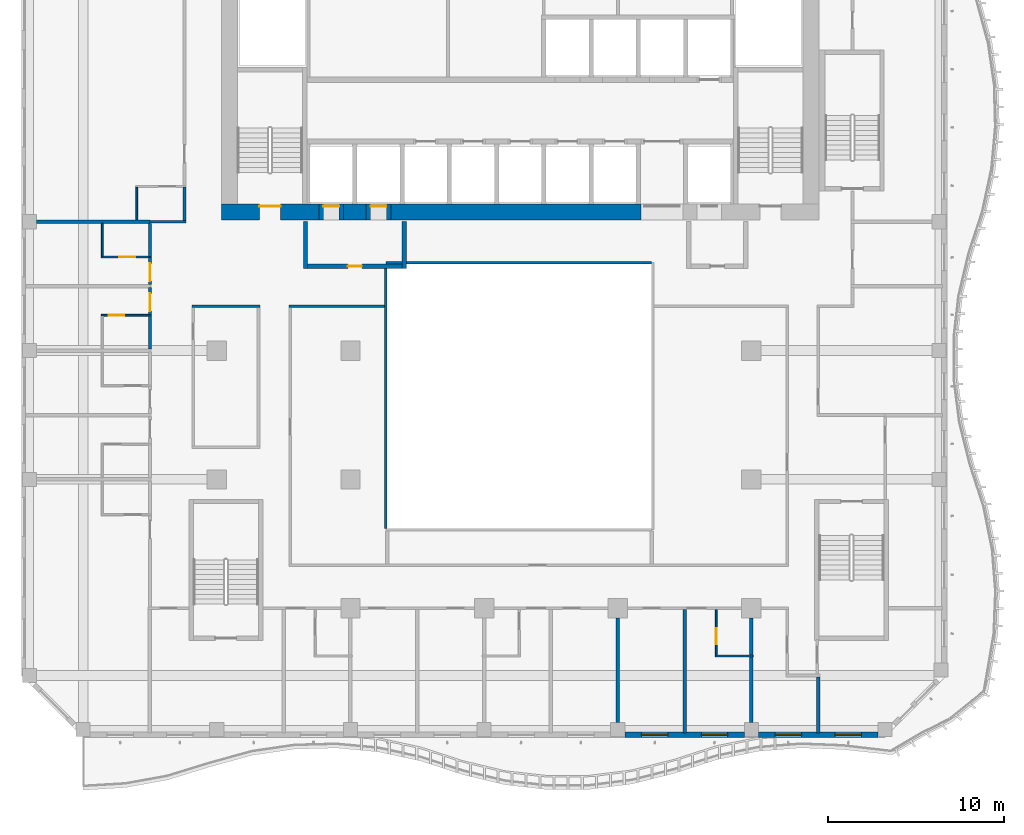
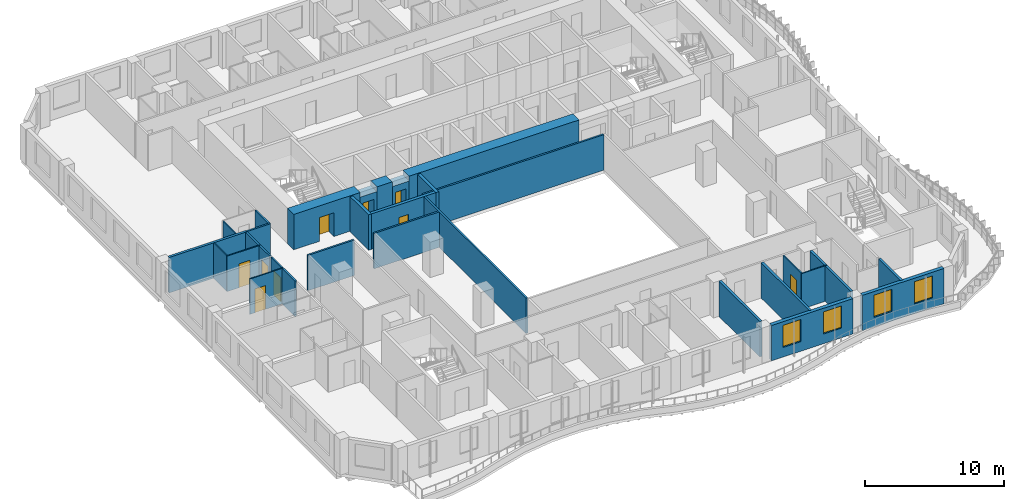
# One storey, part 4 of 21: 32 walls, 9 doors, 4 windows, 13 openings.
"""IFC4 building model written with IfcOpenShell, lengths in metres."""

from ifc_helpers import new_model, si_unit, direction, frame, frame_2d, origin, place, context, subcontext, project, spatial, rectangle, extrude, source, transform, mapped, material, layer, layer_set, type_object, element, fill, save


model = new_model("IFC4")

# Units and contexts
model_context = context("Model", 3, precision=1e-05, world=origin(), true_north=direction((0.0, 1.0)))
body_context = subcontext(model_context, "Body", "Model", "MODEL_VIEW")
ifc_project = project(units=[si_unit("LENGTHUNIT", "METRE"), si_unit("AREAUNIT", "SQUARE_METRE"), si_unit("VOLUMEUNIT", "CUBIC_METRE"), si_unit("PLANEANGLEUNIT", "RADIAN"), si_unit("MASSUNIT", "GRAM", prefix="KILO")], contexts=[model_context])

# Site, building, storey
site_placement = place(None, origin())
site = spatial("IfcSite", under=ifc_project, at=site_placement, CompositionType="ELEMENT")
building_placement = place(site_placement, origin())
building = spatial("IfcBuilding", under=site, at=building_placement, Name="Kilnfold Tower and Market Hall", CompositionType="ELEMENT")
storey_placement = place(building_placement, frame((0.0, 0.0, 147.300048828125)))
storey = spatial("IfcBuildingStorey", under=building, at=storey_placement, Name="L33", CompositionType="ELEMENT", Elevation=147.300048828125)

# Walls
ifc_material_1 = material(Name="Fire-resisting glazed screen")
ifc_layer_1 = layer(ifc_material_1, 0.14990234375)
ifc_layer_set_1 = layer_set([ifc_layer_1], Name="Fire-resisting glazed screen")
wall_type_1 = type_object("IfcWallType", Name="WALL ATRIUM 150", PredefinedType="PARTITIONING", material=ifc_layer_set_1)
wall_1_placement = place(storey_placement, frame((-6.574951171875, -9.39990234375, 0.0), z_axis=(0.0, 0.0, 1.0), x_axis=(0.0, 1.0, 0.0)))
element("IfcWall", 1, at=wall_1_placement, inside=storey, type_object=wall_type_1, Name="Partition LY21.129", PredefinedType="PARTITIONING", context=body_context, shape_type="SweptSolid", body=[
    extrude(rectangle(XDim=15.0, YDim=0.14990234375, at=frame_2d((7.5, 0.0))), origin(), (0.0, 0.0, 1.0), 3.119873046875),
])
wall_2_placement = place(storey_placement, frame((-6.574951171875, 5.675048828125, 0.0), z_axis=(0.0, 0.0, 1.0), x_axis=(1.0, 0.0, 0.0)))
element("IfcWall", 2, at=wall_2_placement, inside=storey, type_object=wall_type_1, Name="Partition LY21.130", PredefinedType="PARTITIONING", context=body_context, shape_type="SweptSolid", body=[
    extrude(rectangle(XDim=15.074951171875, YDim=0.14990234375, at=frame_2d((7.53759765625, 0.0))), origin(), (0.0, 0.0, 1.0), 3.119873046875),
])

# Wall, opening, door
ifc_material_2 = material(Name="Gypsum board on steel studs", Category="steel")
ifc_layer_2 = layer(ifc_material_2, 0.14990234375)
ifc_layer_set_2 = layer_set([ifc_layer_2], Name="Gypsum board on steel studs")
wall_type_2 = type_object("IfcWallType", Name="WALL CORRIDOR 150", PredefinedType="PARTITIONING", material=ifc_layer_set_2)
wall_3_placement = place(storey_placement, frame((-19.958984375, 2.72802734375, 0.0), z_axis=(0.0, 0.0, 1.0), x_axis=(0.0, 1.0, 0.0)))
wall_3 = element("IfcWall", 3, at=wall_3_placement, inside=storey, type_object=wall_type_2, Name="Partition LY21.16", PredefinedType="PARTITIONING", context=body_context, shape_type="SweptSolid", body=[
    extrude(rectangle(XDim=1.52587890625, YDim=0.14990234375, at=frame_2d((0.762939453125, 0.0))), origin(), (0.0, 0.0, 1.0), 3.119873046875),
])
opening_1_placement = place(wall_3_placement, frame((0.199951171875, 0.0, 0.0)))
opening_1 = element("IfcOpeningElement", 4, at=opening_1_placement, cuts=wall_3, Name="Opening D1", PredefinedType="OPENING", context=body_context, shape_type="SweptSolid", body=[
    extrude(rectangle(XDim=1.0, YDim=2.10009765625, at=frame_2d((0.5, 1.050048828125))), frame((0.0, 0.0849609375, 0.0), z_axis=(0.0, -1.0, 0.0), x_axis=(1.0, 0.0, 0.0)), (0.0, 0.0, 1.0), 0.169921875),
])
ifc_material_3 = material(Name="Timber veneer door leaf in steel frame", Category="steel")
door_type_1 = type_object("IfcDoorType", Name="DOOR ENTRY 1000 X2100", OperationType="NOTDEFINED", PredefinedType="DOOR", material=ifc_material_3)
door_1_placement = place(opening_1_placement, origin())
door_1 = element("IfcDoor", 5, at=door_1_placement, inside=storey, type_object=door_type_1, Name="Door D1", OperationType="SINGLE_SWING_RIGHT", OverallHeight=2.10009765625, OverallWidth=1.0, PredefinedType="DOOR", context=body_context, shape_type="SweptSolid", body=[
    extrude(rectangle(XDim=1.0, YDim=2.10009765625, at=frame_2d((0.5, 1.050048828125))), frame((0.0, 0.02490234375, 0.0), z_axis=(0.0, -1.0, 0.0), x_axis=(1.0, 0.0, 0.0)), (0.0, 0.0, 1.0), 0.050048828125),
])
fill(opening_1, door_1)

# Wall
wall_4_placement = place(storey_placement, frame((-19.958984375, 0.778076171875, 0.0), z_axis=(0.0, 0.0, 1.0), x_axis=(0.0, 1.0, 0.0)))
element("IfcWall", 6, at=wall_4_placement, inside=storey, type_object=wall_type_2, Name="Partition LY21.17", PredefinedType="PARTITIONING", context=body_context, shape_type="SweptSolid", body=[
    extrude(rectangle(XDim=1.869873046875, YDim=0.14990234375, at=frame_2d((0.93505859375, 0.0))), origin(), (0.0, 0.0, 1.0), 3.119873046875),
])

# Wall, opening, door
wall_5_placement = place(storey_placement, frame((-19.958984375, 4.43408203125, 0.0), z_axis=(0.0, 0.0, 1.0), x_axis=(0.0, 1.0, 0.0)))
wall_5 = element("IfcWall", 7, at=wall_5_placement, inside=storey, type_object=wall_type_2, Name="Partition LY21.18", PredefinedType="PARTITIONING", context=body_context, shape_type="SweptSolid", body=[
    extrude(rectangle(XDim=1.52587890625, YDim=0.14990234375, at=frame_2d((0.762939453125, 0.0))), origin(), (0.0, 0.0, 1.0), 3.119873046875),
])
opening_2_placement = place(wall_5_placement, frame((0.199951171875, 0.0, 0.0)))
opening_2 = element("IfcOpeningElement", 8, at=opening_2_placement, cuts=wall_5, Name="Opening D1", PredefinedType="OPENING", context=body_context, shape_type="SweptSolid", body=[
    extrude(rectangle(XDim=1.0, YDim=2.10009765625, at=frame_2d((0.5, 1.050048828125))), frame((0.0, 0.0849609375, 0.0), z_axis=(0.0, -1.0, 0.0), x_axis=(1.0, 0.0, 0.0)), (0.0, 0.0, 1.0), 0.169921875),
])
door_2_placement = place(opening_2_placement, origin())
door_2 = element("IfcDoor", 9, at=door_2_placement, inside=storey, type_object=door_type_1, Name="Door D1", OperationType="SINGLE_SWING_RIGHT", OverallHeight=2.10009765625, OverallWidth=1.0, PredefinedType="DOOR", context=body_context, shape_type="SweptSolid", body=[
    extrude(rectangle(XDim=1.0, YDim=2.10009765625, at=frame_2d((0.5, 1.050048828125))), frame((0.0, 0.02490234375, 0.0), z_axis=(0.0, -1.0, 0.0), x_axis=(1.0, 0.0, 0.0)), (0.0, 0.0, 1.0), 0.050048828125),
])
fill(opening_2, door_2)

# Walls
wall_6_placement = place(storey_placement, frame((-19.958984375, 6.0400390625, 0.0), z_axis=(0.0, 0.0, 1.0), x_axis=(0.0, 1.0, 0.0)))
element("IfcWall", 10, at=wall_6_placement, inside=storey, type_object=wall_type_2, Name="Partition LY21.19", PredefinedType="PARTITIONING", context=body_context, shape_type="SweptSolid", body=[
    extrude(rectangle(XDim=1.85986328125, YDim=0.14990234375, at=frame_2d((0.929931640625, 0.0))), origin(), (0.0, 0.0, 1.0), 3.119873046875),
])
wall_7_placement = place(storey_placement, frame((-17.925048828125, 8.0, 0.0), z_axis=(0.0, 0.0, 1.0), x_axis=(-1.0, 0.0, 0.0)))
element("IfcWall", 11, at=wall_7_placement, inside=storey, type_object=wall_type_2, Name="Partition LY21.23", PredefinedType="PARTITIONING", context=body_context, shape_type="SweptSolid", body=[
    extrude(rectangle(XDim=2.033935546875, YDim=0.14990234375, at=frame_2d((1.01708984375, 0.0))), origin(), (0.0, 0.0, 1.0), 3.119873046875),
])
wall_8_placement = place(storey_placement, frame((-18.0, 8.074951171875, 0.0), z_axis=(0.0, 0.0, 1.0), x_axis=(0.0, 1.0, 0.0)))
element("IfcWall", 12, at=wall_8_placement, inside=storey, type_object=wall_type_2, Name="Partition LY21.24", PredefinedType="PARTITIONING", context=body_context, shape_type="SweptSolid", body=[
    extrude(rectangle(XDim=1.885009765625, YDim=0.14990234375, at=frame_2d((0.9423828125, 0.0))), origin(), (0.0, 0.0, 1.0), 3.119873046875),
])
wall_9_placement = place(storey_placement, frame((-12.074951171875, 3.199951171875, 0.0), z_axis=(0.0, 0.0, 1.0), x_axis=(1.0, 0.0, 0.0)))
element("IfcWall", 13, at=wall_9_placement, inside=storey, type_object=wall_type_2, Name="Partition LY21.36", PredefinedType="PARTITIONING", context=body_context, shape_type="SweptSolid", body=[
    extrude(rectangle(XDim=5.425048828125, YDim=0.14990234375, at=frame_2d((2.71240234375, 0.0))), origin(), (0.0, 0.0, 1.0), 3.119873046875),
])
wall_10_placement = place(storey_placement, frame((-17.574951171875, 3.199951171875, 0.0), z_axis=(0.0, 0.0, 1.0), x_axis=(1.0, 0.0, 0.0)))
element("IfcWall", 14, at=wall_10_placement, inside=storey, type_object=wall_type_2, Name="Partition LY21.39", PredefinedType="PARTITIONING", context=body_context, shape_type="SweptSolid", body=[
    extrude(rectangle(XDim=3.849853515625, YDim=0.14990234375, at=frame_2d((1.9248046875, 0.0))), origin(), (0.0, 0.0, 1.0), 3.119873046875),
])

# Wall, opening, door
ifc_material_4 = material(Name="Gypsum board on steel studs", Category="steel")
ifc_layer_3 = layer(ifc_material_4, 0.10009765625)
ifc_layer_set_3 = layer_set([ifc_layer_3], Name="Gypsum board on steel studs")
wall_type_3 = type_object("IfcWallType", Name="WALL PARTITION 100", PredefinedType="PARTITIONING", material=ifc_layer_set_3)
wall_11_placement = place(storey_placement, frame((12.1669921875, -16.590087890625, 0.0), z_axis=(0.0, 0.0, 1.0), x_axis=(0.0, 1.0, 0.0)))
wall_11 = element("IfcWall", 15, at=wall_11_placement, inside=storey, type_object=wall_type_3, Name="Partition LY21.59", PredefinedType="PARTITIONING", context=body_context, shape_type="SweptSolid", body=[
    extrude(rectangle(XDim=2.5751953125, YDim=0.10009765625, at=frame_2d((1.28759765625, 0.0))), origin(), (0.0, 0.0, 1.0), 3.119873046875),
])
opening_3_placement = place(wall_11_placement, frame((0.625, 0.0, 0.0)))
opening_3 = element("IfcOpeningElement", 16, at=opening_3_placement, cuts=wall_11, Name="Opening D3", PredefinedType="OPENING", context=body_context, shape_type="SweptSolid", body=[
    extrude(rectangle(XDim=0.89990234375, YDim=2.10009765625, at=frame_2d((0.449951171875, 1.050048828125))), frame((0.0, 0.06005859375, 0.0), z_axis=(0.0, -1.0, 0.0), x_axis=(1.0, 0.0, 0.0)), (0.0, 0.0, 1.0), 0.1201171875),
])
ifc_material_5 = material(Name="Timber veneer door leaf in steel frame", Category="steel")
door_type_2 = type_object("IfcDoorType", Name="DOOR WC 900 X2100", OperationType="NOTDEFINED", PredefinedType="DOOR", material=ifc_material_5)
door_3_placement = place(opening_3_placement, origin())
door_3 = element("IfcDoor", 17, at=door_3_placement, inside=storey, type_object=door_type_2, Name="Door D3", OperationType="SINGLE_SWING_LEFT", OverallHeight=2.10009765625, OverallWidth=0.89990234375, PredefinedType="DOOR", context=body_context, shape_type="SweptSolid", body=[
    extrude(rectangle(XDim=0.89990234375, YDim=2.10009765625, at=frame_2d((0.449951171875, 1.050048828125))), frame((0.0, 0.02490234375, 0.0), z_axis=(0.0, -1.0, 0.0), x_axis=(1.0, 0.0, 0.0)), (0.0, 0.0, 1.0), 0.050048828125),
])
fill(opening_3, door_3)

# Wall
wall_12_placement = place(storey_placement, frame((12.116943359375, -16.639892578125, 0.0), z_axis=(0.0, 0.0, 1.0), x_axis=(1.0, 0.0, 0.0)))
element("IfcWall", 18, at=wall_12_placement, inside=storey, type_object=wall_type_3, Name="Partition LY21.60", PredefinedType="PARTITIONING", context=body_context, shape_type="SweptSolid", body=[
    extrude(rectangle(XDim=2.150146484375, YDim=0.10009765625, at=frame_2d((1.0751953125, 0.0))), origin(), (0.0, 0.0, 1.0), 3.119873046875),
])

# Wall, opening, door
wall_13_placement = place(storey_placement, frame((-22.7109375, 2.68798828125, 0.0), z_axis=(0.0, 0.0, 1.0), x_axis=(1.0, 0.0, 0.0)))
wall_13 = element("IfcWall", 19, at=wall_13_placement, inside=storey, type_object=wall_type_3, Name="Partition LY21.74", PredefinedType="PARTITIONING", context=body_context, shape_type="SweptSolid", body=[
    extrude(rectangle(XDim=2.824951171875, YDim=0.10009765625, at=frame_2d((1.41259765625, 0.0))), origin(), (0.0, 0.0, 1.0), 3.119873046875),
])
opening_4_placement = place(wall_13_placement, frame((0.403076171875, 0.0, 0.0)))
opening_4 = element("IfcOpeningElement", 20, at=opening_4_placement, cuts=wall_13, Name="Opening D3", PredefinedType="OPENING", context=body_context, shape_type="SweptSolid", body=[
    extrude(rectangle(XDim=0.89990234375, YDim=2.10009765625, at=frame_2d((0.449951171875, 1.050048828125))), frame((0.0, 0.06005859375, 0.0), z_axis=(0.0, -1.0, 0.0), x_axis=(1.0, 0.0, 0.0)), (0.0, 0.0, 1.0), 0.1201171875),
])
door_4_placement = place(opening_4_placement, origin())
door_4 = element("IfcDoor", 21, at=door_4_placement, inside=storey, type_object=door_type_2, Name="Door D3", OperationType="SINGLE_SWING_LEFT", OverallHeight=2.10009765625, OverallWidth=0.89990234375, PredefinedType="DOOR", context=body_context, shape_type="SweptSolid", body=[
    extrude(rectangle(XDim=0.89990234375, YDim=2.10009765625, at=frame_2d((0.449951171875, 1.050048828125))), frame((0.0, 0.02490234375, 0.0), z_axis=(0.0, -1.0, 0.0), x_axis=(1.0, 0.0, 0.0)), (0.0, 0.0, 1.0), 0.050048828125),
])
fill(opening_4, door_4)

wall_14_placement = place(storey_placement, frame((-19.885986328125, 6.0, 0.0), z_axis=(0.0, 0.0, 1.0), x_axis=(-1.0, 0.0, 0.0)))
wall_14 = element("IfcWall", 22, at=wall_14_placement, inside=storey, type_object=wall_type_3, Name="Partition LY21.77", PredefinedType="PARTITIONING", context=body_context, shape_type="SweptSolid", body=[
    extrude(rectangle(XDim=2.824951171875, YDim=0.10009765625, at=frame_2d((1.41259765625, 0.0))), origin(), (0.0, 0.0, 1.0), 3.119873046875),
])
opening_5_placement = place(wall_14_placement, frame((0.912109375, 0.0, 0.0)))
opening_5 = element("IfcOpeningElement", 23, at=opening_5_placement, cuts=wall_14, Name="Opening D3", PredefinedType="OPENING", context=body_context, shape_type="SweptSolid", body=[
    extrude(rectangle(XDim=0.89990234375, YDim=2.10009765625, at=frame_2d((0.449951171875, 1.050048828125))), frame((0.0, 0.06005859375, 0.0), z_axis=(0.0, -1.0, 0.0), x_axis=(1.0, 0.0, 0.0)), (0.0, 0.0, 1.0), 0.1201171875),
])
door_5_placement = place(opening_5_placement, origin())
door_5 = element("IfcDoor", 24, at=door_5_placement, inside=storey, type_object=door_type_2, Name="Door D3", OperationType="SINGLE_SWING_RIGHT", OverallHeight=2.10009765625, OverallWidth=0.89990234375, PredefinedType="DOOR", context=body_context, shape_type="SweptSolid", body=[
    extrude(rectangle(XDim=0.89990234375, YDim=2.10009765625, at=frame_2d((0.449951171875, 1.050048828125))), frame((0.0, 0.02490234375, 0.0), z_axis=(0.0, -1.0, 0.0), x_axis=(1.0, 0.0, 0.0)), (0.0, 0.0, 1.0), 0.050048828125),
])
fill(opening_5, door_5)

# Walls
for number, where, z_axis, x_axis, name in (
    (25, (-22.660888671875, 6.050048828125, 0.0), (0.0, 0.0, 1.0), (0.0, 1.0, 0.0), "Partition LY21.78"),
    (26, (-20.701904296875, 8.10009765625, 0.0), (0.0, 0.0, 1.0), (0.0, 1.0, 0.0), "Partition LY21.81"),
):
    element("IfcWall", number, at=place(storey_placement, frame(where, z_axis=z_axis, x_axis=x_axis)), inside=storey, type_object=wall_type_3, Name=name, PredefinedType="PARTITIONING", context=body_context, shape_type="SweptSolid", body=[
        extrude(rectangle(XDim=1.849853515625, YDim=0.10009765625, at=frame_2d((0.9248046875, 0.0))), origin(), (0.0, 0.0, 1.0), 3.119873046875),
    ])
ifc_material_6 = material(Name="Gypsum board on steel studs", Category="steel")
ifc_layer_4 = layer(ifc_material_6, 0.199951171875)
ifc_layer_set_4 = layer_set([ifc_layer_4], Name="Gypsum board on steel studs")
wall_type_4 = type_object("IfcWallType", Name="WALL PARTY 200", PredefinedType="PARTITIONING", material=ifc_layer_set_4)
wall_15_placement = place(storey_placement, frame((6.5830078125, -20.39990234375, 0.0), z_axis=(0.0, 0.0, 1.0), x_axis=(0.0, 1.0, 0.0)))
element("IfcWall", 27, at=wall_15_placement, inside=storey, type_object=wall_type_4, Name="Partition LY21.57", PredefinedType="PARTITIONING", context=body_context, shape_type="SweptSolid", body=[
    extrude(rectangle(XDim=5.911865234375, YDim=0.199951171875, at=frame_2d((2.9560546875, 0.0))), origin(), (0.0, 0.0, 1.0), 3.119873046875),
])
wall_16_placement = place(storey_placement, frame((10.375, -21.0, 0.0), z_axis=(0.0, 0.0, 1.0), x_axis=(0.0, 1.0, 0.0)))
element("IfcWall", 28, at=wall_16_placement, inside=storey, type_object=wall_type_4, Name="Partition LY21.58", PredefinedType="PARTITIONING", context=body_context, shape_type="SweptSolid", body=[
    extrude(rectangle(XDim=6.985107421875, YDim=0.199951171875, at=frame_2d((3.49267578125, 0.0))), origin(), (0.0, 0.0, 1.0), 3.119873046875),
])
wall_17_placement = place(storey_placement, frame((14.1669921875, -20.39990234375, 0.0), z_axis=(0.0, 0.0, 1.0), x_axis=(0.0, 1.0, 0.0)))
element("IfcWall", 29, at=wall_17_placement, inside=storey, type_object=wall_type_4, Name="Partition LY21.61", PredefinedType="PARTITIONING", context=body_context, shape_type="SweptSolid", body=[
    extrude(rectangle(XDim=3.7099609375, YDim=0.199951171875, at=frame_2d((1.85498046875, 0.0))), origin(), (0.0, 0.0, 1.0), 3.119873046875),
])
wall_18_placement = place(storey_placement, frame((14.1669921875, -16.590087890625, 0.0), z_axis=(0.0, 0.0, 1.0), x_axis=(0.0, 1.0, 0.0)))
element("IfcWall", 30, at=wall_18_placement, inside=storey, type_object=wall_type_4, Name="Partition LY21.62", PredefinedType="PARTITIONING", context=body_context, shape_type="SweptSolid", body=[
    extrude(rectangle(XDim=2.10205078125, YDim=0.199951171875, at=frame_2d((1.051025390625, 0.0))), origin(), (0.0, 0.0, 1.0), 3.119873046875),
])
wall_19_placement = place(storey_placement, frame((17.958984375, -21.0, 0.0), z_axis=(0.0, 0.0, 1.0), x_axis=(0.0, 1.0, 0.0)))
element("IfcWall", 31, at=wall_19_placement, inside=storey, type_object=wall_type_4, Name="Partition LY21.63", PredefinedType="PARTITIONING", context=body_context, shape_type="SweptSolid", body=[
    extrude(rectangle(XDim=3.173095703125, YDim=0.199951171875, at=frame_2d((1.58642578125, 0.0))), origin(), (0.0, 0.0, 1.0), 3.119873046875),
])
wall_20_placement = place(storey_placement, frame((-26.39990234375, 8.0, 0.0), z_axis=(0.0, 0.0, 1.0), x_axis=(1.0, 0.0, 0.0)))
element("IfcWall", 32, at=wall_20_placement, inside=storey, type_object=wall_type_4, Name="Partition LY21.79", PredefinedType="PARTITIONING", context=body_context, shape_type="SweptSolid", body=[
    extrude(rectangle(XDim=6.43896484375, YDim=0.199951171875, at=frame_2d((3.219482421875, 0.0))), origin(), (0.0, 0.0, 1.0), 3.119873046875),
])

# Wall, opening, door
ifc_material_7 = material(Name="Concrete C70", Category="concrete")
ifc_layer_5 = layer(ifc_material_7, 0.89990234375)
ifc_layer_set_5 = layer_set([ifc_layer_5], Name="Concrete C70")
wall_type_5 = type_object("IfcWallType", Name="CORE WALL 900 C70", PredefinedType="SHEAR", material=ifc_layer_set_5)
shared_shape_1 = source(origin(), body_context, "Body", "SweptSolid", [
    extrude(rectangle(XDim=5.52978515625, YDim=0.89990234375, at=frame_2d((2.764892578125, 0.0))), origin(), (0.0, 0.0, 1.0), 3.119873046875),
])
wall_21_placement = place(storey_placement, frame((-15.89990234375, 8.550048828125, 0.0), z_axis=(0.0, 0.0, 1.0), x_axis=(1.0, 0.0, 0.0)))
wall_21 = element("IfcWall", 33, at=wall_21_placement, inside=storey, type_object=wall_type_5, Name="Core outer wall south", PredefinedType="SHEAR", context=body_context, shape_type="MappedRepresentation", body=[
    mapped(shared_shape_1, transform((0.0, 0.0, 0.0))),
])
opening_6_placement = place(wall_21_placement, frame((2.14990234375, 0.0, 0.0)))
opening_6 = element("IfcOpeningElement", 34, at=opening_6_placement, cuts=wall_21, Name="Opening SD1", PredefinedType="OPENING", context=body_context, shape_type="SweptSolid", body=[
    extrude(rectangle(XDim=1.199951171875, YDim=2.10009765625, at=frame_2d((0.60009765625, 1.050048828125))), frame((0.0, 0.4599609375, 0.0), z_axis=(0.0, -1.0, 0.0), x_axis=(1.0, 0.0, 0.0)), (0.0, 0.0, 1.0), 0.919921875),
])
ifc_material_8 = material(Name="Steel door set with fire-resisting leaf", Category="steel")
door_type_3 = type_object("IfcDoorType", Name="STAIR FLOOR DOOR 1200X2100", OperationType="NOTDEFINED", PredefinedType="DOOR", material=ifc_material_8)
door_6_placement = place(opening_6_placement, origin())
door_6 = element("IfcDoor", 35, at=door_6_placement, inside=storey, type_object=door_type_3, Name="Exit stair ST1 door", OperationType="DOUBLE_DOOR_SINGLE_SWING", OverallHeight=2.10009765625, OverallWidth=1.199951171875, PredefinedType="DOOR", context=body_context, shape_type="SweptSolid", body=[
    extrude(rectangle(XDim=1.199951171875, YDim=2.10009765625, at=frame_2d((0.60009765625, 1.050048828125))), frame((0.0, 0.35498046875, 0.0), z_axis=(0.0, -1.0, 0.0), x_axis=(1.0, 0.0, 0.0)), (0.0, 0.0, 1.0), 0.050048828125),
])
fill(opening_6, door_6)

# Walls
shared_shape_2 = source(origin(), body_context, "Body", "SweptSolid", [
    extrude(rectangle(XDim=1.280029296875, YDim=0.89990234375, at=frame_2d((0.64013671875, 0.0))), origin(), (0.0, 0.0, 1.0), 3.119873046875),
])
wall_22_placement = place(storey_placement, frame((-8.969970703125, 8.550048828125, 0.0), z_axis=(0.0, 0.0, 1.0), x_axis=(1.0, 0.0, 0.0)))
element("IfcWall", 36, at=wall_22_placement, inside=storey, type_object=wall_type_5, Name="Core outer wall south", PredefinedType="SHEAR", context=body_context, shape_type="MappedRepresentation", body=[
    mapped(shared_shape_2, transform((0.0, 0.0, 0.0))),
])
shared_shape_3 = source(origin(), body_context, "Body", "SweptSolid", [
    extrude(rectangle(XDim=14.179931640625, YDim=0.89990234375, at=frame_2d((7.08984375, 0.0))), origin(), (0.0, 0.0, 1.0), 3.119873046875),
])
wall_23_placement = place(storey_placement, frame((-6.2900390625, 8.550048828125, 0.0), z_axis=(0.0, 0.0, 1.0), x_axis=(1.0, 0.0, 0.0)))
element("IfcWall", 37, at=wall_23_placement, inside=storey, type_object=wall_type_5, Name="Core outer wall south", PredefinedType="SHEAR", context=body_context, shape_type="MappedRepresentation", body=[
    mapped(shared_shape_3, transform((0.0, 0.0, 0.0))),
])

# Wall, openings, windows
ifc_material_9 = material(Name="Precast concrete C50/60", Category="concrete")
ifc_layer_6 = layer(ifc_material_9, 0.300048828125)
ifc_layer_set_6 = layer_set([ifc_layer_6], Name="Precast concrete C50/60")
wall_type_6 = type_object("IfcWallType", Name="PRECAST WALL 300", PredefinedType="SOLIDWALL", material=ifc_layer_set_6)
shared_shape_4 = source(origin(), body_context, "Body", "SweptSolid", [
    extrude(rectangle(XDim=6.783447265625, YDim=0.300048828125, at=frame_2d((3.3916015625, 0.0))), origin(), (0.0, 0.0, 1.0), 3.119873046875),
])
wall_24_placement = place(storey_placement, frame((14.566650390625, -21.10009765625, 0.0), z_axis=(0.0, 0.0, 1.0), x_axis=(1.0, 0.0, 0.0)))
wall_24 = element("IfcWall", 38, at=wall_24_placement, inside=storey, type_object=wall_type_6, Name="External wall L33 S", PredefinedType="SOLIDWALL", context=body_context, shape_type="MappedRepresentation", body=[
    mapped(shared_shape_4, transform((0.0, 0.0, 0.0))),
])
opening_7_placement = place(wall_24_placement, frame((0.94580078125, 0.0, 0.85009765625)))
opening_7 = element("IfcOpeningElement", 39, at=opening_7_placement, cuts=wall_24, Name="Opening W4", PredefinedType="OPENING", context=body_context, shape_type="SweptSolid", body=[
    extrude(rectangle(XDim=1.5, YDim=1.949951171875, at=frame_2d((0.75, 0.97509765625))), frame((0.0, 0.16015625, 0.0), z_axis=(0.0, -1.0, 0.0), x_axis=(1.0, 0.0, 0.0)), (0.0, 0.0, 1.0), 0.320068359375),
])
opening_8_placement = place(wall_24_placement, frame((4.33740234375, 0.0, 0.85009765625)))
opening_8 = element("IfcOpeningElement", 40, at=opening_8_placement, cuts=wall_24, Name="Opening W4", PredefinedType="OPENING", context=body_context, shape_type="SweptSolid", body=[
    extrude(rectangle(XDim=1.5, YDim=1.949951171875, at=frame_2d((0.75, 0.97509765625))), frame((0.0, 0.16015625, 0.0), z_axis=(0.0, -1.0, 0.0), x_axis=(1.0, 0.0, 0.0)), (0.0, 0.0, 1.0), 0.320068359375),
])
ifc_material_10 = material(Name="Aluminium frame and double glazing", Category="aluminium")
window_type = type_object("IfcWindowType", Name="WINDOW W4 1500X1950", PartitioningType="SINGLE_PANEL", PredefinedType="WINDOW", material=ifc_material_10)
window_1_placement = place(opening_7_placement, origin())
window_1 = element("IfcWindow", 41, at=window_1_placement, inside=storey, type_object=window_type, Name="Window W4 L33 S-1", OverallHeight=1.949951171875, OverallWidth=1.5, PartitioningType="SINGLE_PANEL", PredefinedType="WINDOW", context=body_context, shape_type="SweptSolid", body=[
    extrude(rectangle(XDim=1.5, YDim=1.949951171875, at=frame_2d((0.75, 0.97509765625))), frame((0.0, 0.030029296875, 0.0), z_axis=(0.0, -1.0, 0.0), x_axis=(1.0, 0.0, 0.0)), (0.0, 0.0, 1.0), 0.06005859375),
])
fill(opening_7, window_1)
window_2_placement = place(opening_8_placement, origin())
window_2 = element("IfcWindow", 42, at=window_2_placement, inside=storey, type_object=window_type, Name="Window W4 L33 S-2", OverallHeight=1.949951171875, OverallWidth=1.5, PartitioningType="SINGLE_PANEL", PredefinedType="WINDOW", context=body_context, shape_type="SweptSolid", body=[
    extrude(rectangle(XDim=1.5, YDim=1.949951171875, at=frame_2d((0.75, 0.97509765625))), frame((0.0, 0.030029296875, 0.0), z_axis=(0.0, -1.0, 0.0), x_axis=(1.0, 0.0, 0.0)), (0.0, 0.0, 1.0), 0.06005859375),
])
fill(opening_8, window_2)

shared_shape_5 = source(origin(), body_context, "Body", "SweptSolid", [
    extrude(rectangle(XDim=6.783203125, YDim=0.300048828125, at=frame_2d((3.3916015625, 0.0))), origin(), (0.0, 0.0, 1.0), 3.119873046875),
])
wall_25_placement = place(storey_placement, frame((6.9833984375, -21.10009765625, 0.0), z_axis=(0.0, 0.0, 1.0), x_axis=(1.0, 0.0, 0.0)))
wall_25 = element("IfcWall", 43, at=wall_25_placement, inside=storey, type_object=wall_type_6, Name="External wall L33 S", PredefinedType="SOLIDWALL", context=body_context, shape_type="MappedRepresentation", body=[
    mapped(shared_shape_5, transform((0.0, 0.0, 0.0))),
])
opening_9_placement = place(wall_25_placement, frame((0.94580078125, 0.0, 0.85009765625)))
opening_9 = element("IfcOpeningElement", 44, at=opening_9_placement, cuts=wall_25, Name="Opening W4", PredefinedType="OPENING", context=body_context, shape_type="SweptSolid", body=[
    extrude(rectangle(XDim=1.5, YDim=1.949951171875, at=frame_2d((0.75, 0.97509765625))), frame((0.0, 0.16015625, 0.0), z_axis=(0.0, -1.0, 0.0), x_axis=(1.0, 0.0, 0.0)), (0.0, 0.0, 1.0), 0.320068359375),
])
opening_10_placement = place(wall_25_placement, frame((4.337646484375, 0.0, 0.85009765625)))
opening_10 = element("IfcOpeningElement", 45, at=opening_10_placement, cuts=wall_25, Name="Opening W4", PredefinedType="OPENING", context=body_context, shape_type="SweptSolid", body=[
    extrude(rectangle(XDim=1.5, YDim=1.949951171875, at=frame_2d((0.75, 0.97509765625))), frame((0.0, 0.16015625, 0.0), z_axis=(0.0, -1.0, 0.0), x_axis=(1.0, 0.0, 0.0)), (0.0, 0.0, 1.0), 0.320068359375),
])
window_3_placement = place(opening_9_placement, origin())
window_3 = element("IfcWindow", 46, at=window_3_placement, inside=storey, type_object=window_type, Name="Window W4 L33 S-1", OverallHeight=1.949951171875, OverallWidth=1.5, PartitioningType="SINGLE_PANEL", PredefinedType="WINDOW", context=body_context, shape_type="SweptSolid", body=[
    extrude(rectangle(XDim=1.5, YDim=1.949951171875, at=frame_2d((0.75, 0.97509765625))), frame((0.0, 0.030029296875, 0.0), z_axis=(0.0, -1.0, 0.0), x_axis=(1.0, 0.0, 0.0)), (0.0, 0.0, 1.0), 0.06005859375),
])
fill(opening_9, window_3)
window_4_placement = place(opening_10_placement, origin())
window_4 = element("IfcWindow", 47, at=window_4_placement, inside=storey, type_object=window_type, Name="Window W4 L33 S-2", OverallHeight=1.949951171875, OverallWidth=1.5, PartitioningType="SINGLE_PANEL", PredefinedType="WINDOW", context=body_context, shape_type="SweptSolid", body=[
    extrude(rectangle(XDim=1.5, YDim=1.949951171875, at=frame_2d((0.75, 0.97509765625))), frame((0.0, 0.030029296875, 0.0), z_axis=(0.0, -1.0, 0.0), x_axis=(1.0, 0.0, 0.0)), (0.0, 0.0, 1.0), 0.06005859375),
])
fill(opening_10, window_4)

# Wall, opening, door
ifc_material_11 = material(Name="Gypsum shaft wall system")
ifc_layer_7 = layer(ifc_material_11, 0.89990234375)
ifc_layer_set_7 = layer_set([ifc_layer_7], Name="Gypsum shaft wall system")
wall_type_7 = type_object("IfcWallType", Name="LOBBY WALL 900", PredefinedType="PARTITIONING", material=ifc_layer_set_7)
shared_shape_6 = source(origin(), body_context, "Body", "SweptSolid", [
    extrude(rectangle(XDim=1.400146484375, YDim=0.89990234375, at=frame_2d((0.7001953125, 0.0))), origin(), (0.0, 0.0, 1.0), 2.699951171875),
])
wall_26_placement = place(storey_placement, frame((-10.3701171875, 8.550048828125, 0.0), z_axis=(0.0, 0.0, 1.0), x_axis=(1.0, 0.0, 0.0)))
wall_26 = element("IfcWall", 48, at=wall_26_placement, inside=storey, type_object=wall_type_7, Name="Core wall infill", PredefinedType="PARTITIONING", context=body_context, shape_type="MappedRepresentation", body=[
    mapped(shared_shape_6, transform((0.0, 0.0, 0.0))),
])
opening_11_placement = place(wall_26_placement, frame((0.25, 0.0, 0.0)))
opening_11 = element("IfcOpeningElement", 49, at=opening_11_placement, cuts=wall_26, Name="Opening LD1", PredefinedType="OPENING", context=body_context, shape_type="SweptSolid", body=[
    extrude(rectangle(XDim=0.89990234375, YDim=2.10009765625, at=frame_2d((0.449951171875, 1.050048828125))), frame((0.0, 0.4599609375, 0.0), z_axis=(0.0, -1.0, 0.0), x_axis=(1.0, 0.0, 0.0)), (0.0, 0.0, 1.0), 0.919921875),
])
ifc_material_12 = material(Name="Steel door set with fire-resisting leaf", Category="steel")
door_type_4 = type_object("IfcDoorType", Name="FIREFIGHTING LANDING DOOR 900X2100", OperationType="NOTDEFINED", PredefinedType="DOOR", material=ifc_material_12)
door_7_placement = place(opening_11_placement, origin())
door_7 = element("IfcDoor", 50, at=door_7_placement, inside=storey, type_object=door_type_4, Name="Landing door FF1", OperationType="SLIDING_TO_LEFT", OverallHeight=2.10009765625, OverallWidth=0.89990234375, PredefinedType="DOOR", context=body_context, shape_type="SweptSolid", body=[
    extrude(rectangle(XDim=0.89990234375, YDim=2.10009765625, at=frame_2d((0.449951171875, 1.050048828125))), frame((0.0, 0.35498046875, 0.0), z_axis=(0.0, -1.0, 0.0), x_axis=(1.0, 0.0, 0.0)), (0.0, 0.0, 1.0), 0.050048828125),
])
fill(opening_11, door_7)

shared_shape_7 = source(origin(), body_context, "Body", "SweptSolid", [
    extrude(rectangle(XDim=1.39990234375, YDim=0.89990234375, at=frame_2d((0.699951171875, 0.0))), origin(), (0.0, 0.0, 1.0), 2.699951171875),
])
wall_27_placement = place(storey_placement, frame((-7.68994140625, 8.550048828125, 0.0), z_axis=(0.0, 0.0, 1.0), x_axis=(1.0, 0.0, 0.0)))
wall_27 = element("IfcWall", 51, at=wall_27_placement, inside=storey, type_object=wall_type_7, Name="Core wall infill", PredefinedType="PARTITIONING", context=body_context, shape_type="MappedRepresentation", body=[
    mapped(shared_shape_7, transform((0.0, 0.0, 0.0))),
])
opening_12_placement = place(wall_27_placement, frame((0.25, 0.0, 0.0)))
opening_12 = element("IfcOpeningElement", 52, at=opening_12_placement, cuts=wall_27, Name="Opening LD1", PredefinedType="OPENING", context=body_context, shape_type="SweptSolid", body=[
    extrude(rectangle(XDim=0.89990234375, YDim=2.10009765625, at=frame_2d((0.449951171875, 1.050048828125))), frame((0.0, 0.4599609375, 0.0), z_axis=(0.0, -1.0, 0.0), x_axis=(1.0, 0.0, 0.0)), (0.0, 0.0, 1.0), 0.919921875),
])
door_8_placement = place(opening_12_placement, origin())
door_8 = element("IfcDoor", 53, at=door_8_placement, inside=storey, type_object=door_type_4, Name="Landing door FF2", OperationType="SLIDING_TO_RIGHT", OverallHeight=2.10009765625, OverallWidth=0.89990234375, PredefinedType="DOOR", context=body_context, shape_type="SweptSolid", body=[
    extrude(rectangle(XDim=0.89990234375, YDim=2.10009765625, at=frame_2d((0.449951171875, 1.050048828125))), frame((0.0, 0.35498046875, 0.0), z_axis=(0.0, -1.0, 0.0), x_axis=(1.0, 0.0, 0.0)), (0.0, 0.0, 1.0), 0.050048828125),
])
fill(opening_12, door_8)

# Walls
ifc_material_13 = material(Name="Gypsum shaft wall system")
ifc_layer_8 = layer(ifc_material_13, 0.25)
ifc_layer_set_8 = layer_set([ifc_layer_8], Name="Gypsum shaft wall system")
wall_type_8 = type_object("IfcWallType", Name="LOBBY WALL 250", PredefinedType="PARTITIONING", material=ifc_layer_set_8)
shared_shape_8 = source(origin(), body_context, "Body", "SweptSolid", [
    extrude(rectangle(XDim=2.64990234375, YDim=0.25, at=frame_2d((1.324951171875, 0.0))), origin(), (0.0, 0.0, 1.0), 3.119873046875),
])
for number, where, z_axis, x_axis, name in (
    (54, (-11.135009765625, 5.35009765625, 0.0), (0.0, 0.0, 1.0), (0.0, 1.0, 0.0), "Firefighting lobby wall"),
    (55, (-5.52490234375, 5.35009765625, 0.0), (0.0, 0.0, 1.0), (0.0, 1.0, 0.0), "Firefighting lobby wall"),
):
    element("IfcWall", number, at=place(storey_placement, frame(where, z_axis=z_axis, x_axis=x_axis)), inside=storey, type_object=wall_type_8, Name=name, PredefinedType="PARTITIONING", context=body_context, shape_type="MappedRepresentation", body=[
        mapped(shared_shape_8, transform((0.0, 0.0, 0.0))),
    ])

# Wall, opening, door
shared_shape_9 = source(origin(), body_context, "Body", "SweptSolid", [
    extrude(rectangle(XDim=5.360107421875, YDim=0.25, at=frame_2d((2.68017578125, 0.0))), origin(), (0.0, 0.0, 1.0), 3.119873046875),
])
wall_28_placement = place(storey_placement, frame((-11.010009765625, 5.47509765625, 0.0), z_axis=(0.0, 0.0, 1.0), x_axis=(1.0, 0.0, 0.0)))
wall_28 = element("IfcWall", 56, at=wall_28_placement, inside=storey, type_object=wall_type_8, Name="Firefighting lobby wall", PredefinedType="PARTITIONING", context=body_context, shape_type="MappedRepresentation", body=[
    mapped(shared_shape_9, transform((0.0, 0.0, 0.0))),
])
opening_13_placement = place(wall_28_placement, frame((2.280029296875, 0.0, 0.0)))
opening_13 = element("IfcOpeningElement", 57, at=opening_13_placement, cuts=wall_28, Name="Opening VD1", PredefinedType="OPENING", context=body_context, shape_type="SweptSolid", body=[
    extrude(rectangle(XDim=0.800048828125, YDim=2.0, at=frame_2d((0.39990234375, 1.0))), frame((0.0, 0.135009765625, 0.0), z_axis=(0.0, -1.0, 0.0), x_axis=(1.0, 0.0, 0.0)), (0.0, 0.0, 1.0), 0.27001953125),
])
ifc_material_14 = material(Name="Steel door set with fire-resisting leaf", Category="steel")
door_type_5 = type_object("IfcDoorType", Name="FIREFIGHTING LOBBY DOOR 800X2000", OperationType="NOTDEFINED", PredefinedType="DOOR", material=ifc_material_14)
door_9_placement = place(opening_13_placement, origin())
door_9 = element("IfcDoor", 58, at=door_9_placement, inside=storey, type_object=door_type_5, Name="Firefighting lobby door", OperationType="SINGLE_SWING_LEFT", OverallHeight=2.0, OverallWidth=0.800048828125, PredefinedType="DOOR", context=body_context, shape_type="SweptSolid", body=[
    extrude(rectangle(XDim=0.800048828125, YDim=2.0, at=frame_2d((0.39990234375, 1.0))), frame((0.0, 0.02490234375, 0.0), z_axis=(0.0, -1.0, 0.0), x_axis=(1.0, 0.0, 0.0)), (0.0, 0.0, 1.0), 0.050048828125),
])
fill(opening_13, door_9)

save(model, "model.ifc")
